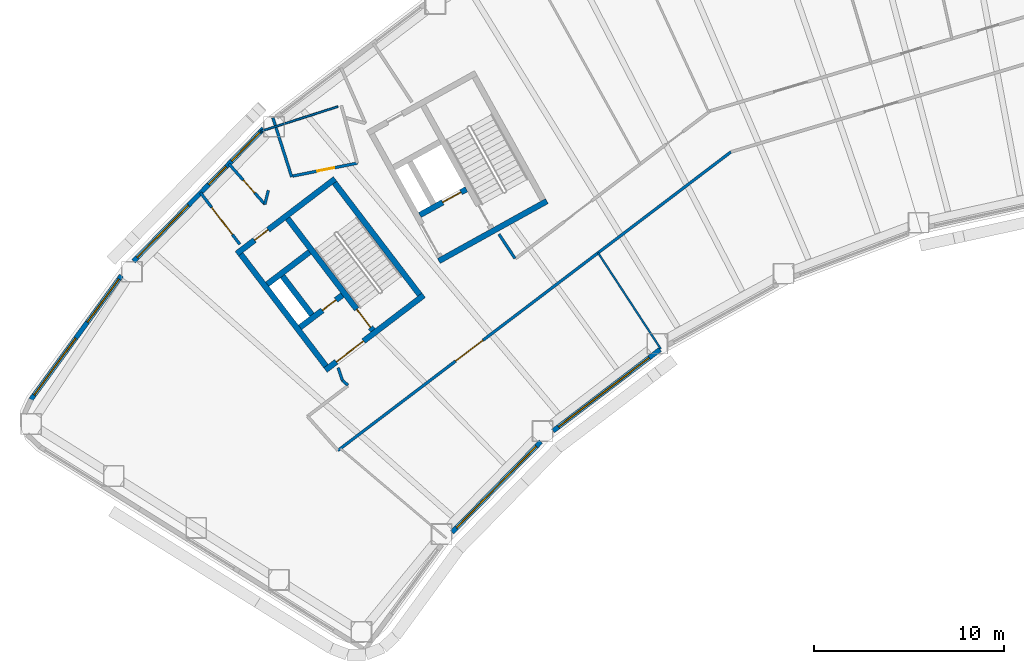
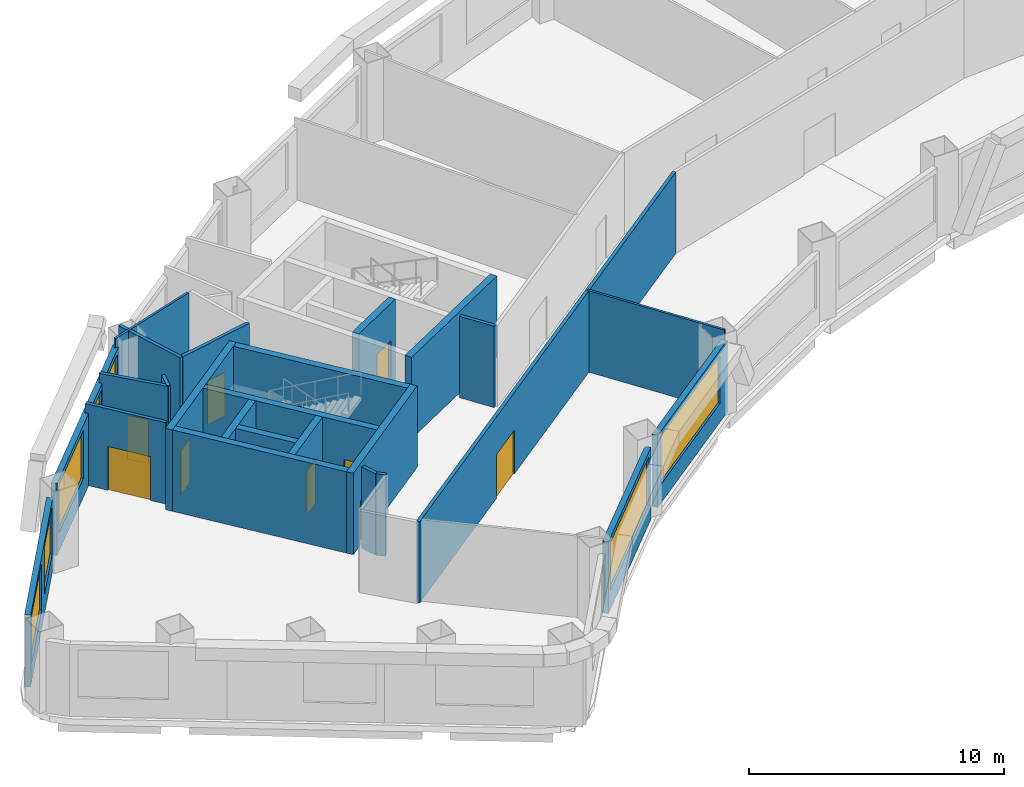
# One storey, part 3 of 11: 25 walls, 9 doors, 7 windows, 16 openings.
"""IFC4 building model written with IfcOpenShell, lengths in metres."""

from ifc_helpers import new_model, si_unit, direction, frame, frame_2d, origin, place, context, subcontext, project, spatial, rectangle, extrude, material, layer, layer_set, type_object, element, fill, save


model = new_model("IFC4")

# Units and contexts
model_context = context("Model", 3, precision=1e-05, world=origin(), true_north=direction((0.0, 1.0)))
body_context = subcontext(model_context, "Body", "Model", "MODEL_VIEW")
ifc_project = project(units=[si_unit("LENGTHUNIT", "METRE"), si_unit("AREAUNIT", "SQUARE_METRE"), si_unit("VOLUMEUNIT", "CUBIC_METRE"), si_unit("PLANEANGLEUNIT", "RADIAN"), si_unit("MASSUNIT", "GRAM", prefix="KILO")], contexts=[model_context])

# Site, building, storey
site_placement = place(None, origin())
site = spatial("IfcSite", under=ifc_project, at=site_placement, CompositionType="ELEMENT")
building_placement = place(site_placement, origin())
building = spatial("IfcBuilding", under=site, at=building_placement, Name="Tuul Gate Civic Tower", CompositionType="ELEMENT")
storey_placement = place(building_placement, frame((0.0, 0.0, 120.300048828125)))
storey = spatial("IfcBuildingStorey", under=building, at=storey_placement, Name="Level 27", CompositionType="ELEMENT", Elevation=120.300048828125)

# Wall, opening, door
ifc_material_1 = material(Name="Concrete C50/60", Category="concrete")
ifc_layer_1 = layer(ifc_material_1, 0.300048828125)
ifc_layer_set_1 = layer_set([ifc_layer_1], Name="Concrete C50/60")
wall_type_1 = type_object("IfcWallType", Name="Core wall C50/60", PredefinedType="SHEAR", material=ifc_layer_set_1)
wall_1_placement = place(storey_placement, frame((-31.19091796875, -13.669677734375, 0.0), z_axis=(0.0, 0.0, 1.0), x_axis=(-0.795606717756, -0.605813461934, 0.0)))
wall_1 = element("IfcWall", 1, at=wall_1_placement, inside=storey, type_object=wall_type_1, Name="Core wall", PredefinedType="SHEAR", context=body_context, shape_type="SweptSolid", body=[
    extrude(rectangle(XDim=6.5, YDim=0.300048828125, at=frame_2d((3.25, 0.0))), origin(), (0.0, 0.0, 1.0), 3.89990234375),
])
opening_1_placement = place(wall_1_placement, frame((3.97509765625, 0.0, 0.0)))
opening_1 = element("IfcOpeningElement", 2, at=opening_1_placement, cuts=wall_1, Name="Opening LB-W1-LOBBY-1", PredefinedType="OPENING", context=body_context, shape_type="SweptSolid", body=[
    extrude(rectangle(XDim=1.800048828125, YDim=2.10009765625, at=frame_2d((0.89990234375, 1.050048828125))), frame((0.0, 0.16015625, 0.0), z_axis=(0.0, -1.0, 0.0), x_axis=(1.0, 0.0, 0.0)), (0.0, 0.0, 1.0), 0.320068359375),
])
ifc_material_2 = material(Name="Steel", Category="steel")
door_type_1 = type_object("IfcDoorType", Name="Lobby door", OperationType="DOUBLE_DOOR_SINGLE_SWING", PredefinedType="DOOR", material=ifc_material_2)
door_1_placement = place(opening_1_placement, origin())
door_1 = element("IfcDoor", 3, at=door_1_placement, inside=storey, type_object=door_type_1, Name="Lobby door W1-LOBBY", OperationType="DOUBLE_DOOR_SINGLE_SWING", OverallHeight=2.10009765625, OverallWidth=1.800048828125, PredefinedType="DOOR", context=body_context, shape_type="SweptSolid", body=[
    extrude(rectangle(XDim=1.800048828125, YDim=2.10009765625, at=frame_2d((0.89990234375, 1.050048828125))), frame((0.0, 0.02490234375, 0.0), z_axis=(0.0, -1.0, 0.0), x_axis=(1.0, 0.0, 0.0)), (0.0, 0.0, 1.0), 0.050048828125),
])
fill(opening_1, door_1)

wall_2_placement = place(storey_placement, frame((-35.470947265625, -13.66064453125, 0.0), z_axis=(0.0, 0.0, 1.0), x_axis=(-0.795615822227, -0.605801504968, 0.0)))
wall_2 = element("IfcWall", 4, at=wall_2_placement, inside=storey, type_object=wall_type_1, Name="Core wall", PredefinedType="SHEAR", context=body_context, shape_type="SweptSolid", body=[
    extrude(rectangle(XDim=2.800048828125, YDim=0.300048828125, at=frame_2d((1.39990234375, 0.0))), origin(), (0.0, 0.0, 1.0), 3.89990234375),
])
opening_2_placement = place(wall_2_placement, frame((0.425048828125, 0.0, 0.0)))
opening_2 = element("IfcOpeningElement", 5, at=opening_2_placement, cuts=wall_2, Name="Opening FB-W1A1", PredefinedType="OPENING", context=body_context, shape_type="SweptSolid", body=[
    extrude(rectangle(XDim=0.89990234375, YDim=2.10009765625, at=frame_2d((0.449951171875, 1.050048828125))), frame((0.0, 0.16015625, 0.0), z_axis=(0.0, -1.0, 0.0), x_axis=(1.0, 0.0, 0.0)), (0.0, 0.0, 1.0), 0.320068359375),
])
ifc_material_3 = material(Name="Steel", Category="steel")
door_type_2 = type_object("IfcDoorType", Name="Store door", OperationType="NOTDEFINED", PredefinedType="DOOR", material=ifc_material_3)
door_2_placement = place(opening_2_placement, frame((0.89990234375, 0.0, 0.0), z_axis=(0.0, 0.0, 1.0), x_axis=(-1.0, 0.0, 0.0)))
door_2 = element("IfcDoor", 6, at=door_2_placement, inside=storey, type_object=door_type_2, Name="Store door W1A1", OperationType="SINGLE_SWING_RIGHT", OverallHeight=2.10009765625, OverallWidth=0.89990234375, PredefinedType="DOOR", context=body_context, shape_type="SweptSolid", body=[
    extrude(rectangle(XDim=0.89990234375, YDim=2.10009765625, at=frame_2d((0.449951171875, 1.050048828125))), frame((0.0, 0.02490234375, 0.0), z_axis=(0.0, -1.0, 0.0), x_axis=(1.0, 0.0, 0.0)), (0.0, 0.0, 1.0), 0.050048828125),
])
fill(opening_2, door_2)

# Wall
wall_3_placement = place(storey_placement, frame((-37.197509765625, -11.39306640625, 0.0), z_axis=(0.0, 0.0, 1.0), x_axis=(-0.795583820278, -0.605843531707, 0.0)))
element("IfcWall", 7, at=wall_3_placement, inside=storey, type_object=wall_type_1, Name="Core wall", PredefinedType="SHEAR", context=body_context, shape_type="SweptSolid", body=[
    extrude(rectangle(XDim=2.7998046875, YDim=0.300048828125, at=frame_2d((1.39990234375, 0.0))), origin(), (0.0, 0.0, 1.0), 3.89990234375),
])

# Wall, opening, door
wall_4_placement = place(storey_placement, frame((-35.855224609375, -7.543212890625, 0.0), z_axis=(0.0, 0.0, 1.0), x_axis=(-0.79563860527, -0.605771582202, 0.0)))
wall_4 = element("IfcWall", 8, at=wall_4_placement, inside=storey, type_object=wall_type_1, Name="Core wall", PredefinedType="SHEAR", context=body_context, shape_type="SweptSolid", body=[
    extrude(rectangle(XDim=6.5, YDim=0.300048828125, at=frame_2d((3.25, 0.0))), origin(), (0.0, 0.0, 1.0), 3.89990234375),
])
opening_3_placement = place(wall_4_placement, frame((4.425048828125, 0.0, 0.0)))
opening_3 = element("IfcOpeningElement", 9, at=opening_3_placement, cuts=wall_4, Name="Opening I-D251", PredefinedType="OPENING", context=body_context, shape_type="SweptSolid", body=[
    extrude(rectangle(XDim=0.89990234375, YDim=2.10009765625, at=frame_2d((0.449951171875, 1.050048828125))), frame((0.0, 0.16015625, 0.0), z_axis=(0.0, -1.0, 0.0), x_axis=(1.0, 0.0, 0.0)), (0.0, 0.0, 1.0), 0.320068359375),
])
ifc_material_4 = material(Name="Timber door leaf", Category="wood")
door_type_3 = type_object("IfcDoorType", Name="Door D09", OperationType="NOTDEFINED", PredefinedType="DOOR", material=ifc_material_4)
door_3_placement = place(opening_3_placement, origin())
door_3 = element("IfcDoor", 10, at=door_3_placement, inside=storey, type_object=door_type_3, Name="Door I-D25", OperationType="SINGLE_SWING_LEFT", OverallHeight=2.10009765625, OverallWidth=0.89990234375, PredefinedType="DOOR", context=body_context, shape_type="SweptSolid", body=[
    extrude(rectangle(XDim=0.89990234375, YDim=2.10009765625, at=frame_2d((0.449951171875, 1.050048828125))), frame((0.0, 0.02490234375, 0.0), z_axis=(0.0, -1.0, 0.0), x_axis=(1.0, 0.0, 0.0)), (0.0, 0.0, 1.0), 0.050048828125),
])
fill(opening_3, door_3)

# Wall
wall_5_placement = place(storey_placement, frame((-31.401123046875, -13.64111328125, 0.0), z_axis=(0.0, 0.0, 1.0), x_axis=(-0.605769822278, 0.795639945213, 0.0)))
element("IfcWall", 11, at=wall_5_placement, inside=storey, type_object=wall_type_1, Name="Core wall", PredefinedType="SHEAR", context=body_context, shape_type="SweptSolid", body=[
    extrude(rectangle(XDim=7.39990234375, YDim=0.300048828125, at=frame_2d((3.699951171875, 0.0))), origin(), (0.0, 0.0, 1.0), 3.89990234375),
])

# Wall, opening, door
wall_6_placement = place(storey_placement, frame((-33.867431640625, -15.51904296875, 0.0), z_axis=(0.0, 0.0, 1.0), x_axis=(-0.605769822278, 0.795639945213, 0.0)))
wall_6 = element("IfcWall", 12, at=wall_6_placement, inside=storey, type_object=wall_type_1, Name="Core wall", PredefinedType="SHEAR", context=body_context, shape_type="SweptSolid", body=[
    extrude(rectangle(XDim=7.39990234375, YDim=0.300048828125, at=frame_2d((3.699951171875, 0.0))), origin(), (0.0, 0.0, 1.0), 3.89990234375),
])
opening_4_placement = place(wall_6_placement, frame((0.199951171875, 0.0, 0.0)))
opening_4 = element("IfcOpeningElement", 13, at=opening_4_placement, cuts=wall_6, Name="Opening SD-ST-1", PredefinedType="OPENING", context=body_context, shape_type="SweptSolid", body=[
    extrude(rectangle(XDim=1.199951171875, YDim=2.10009765625, at=frame_2d((0.60009765625, 1.050048828125))), frame((0.0, 0.16015625, 0.0), z_axis=(0.0, -1.0, 0.0), x_axis=(1.0, 0.0, 0.0)), (0.0, 0.0, 1.0), 0.320068359375),
])
ifc_material_5 = material(Name="Steel", Category="steel")
door_type_4 = type_object("IfcDoorType", Name="Stair door", OperationType="NOTDEFINED", PredefinedType="DOOR", material=ifc_material_5)
door_4_placement = place(opening_4_placement, origin())
door_4 = element("IfcDoor", 14, at=door_4_placement, inside=storey, type_object=door_type_4, Name="Stair door ST-1", OperationType="SINGLE_SWING_LEFT", OverallHeight=2.10009765625, OverallWidth=1.199951171875, PredefinedType="DOOR", context=body_context, shape_type="SweptSolid", body=[
    extrude(rectangle(XDim=1.199951171875, YDim=2.10009765625, at=frame_2d((0.60009765625, 1.050048828125))), frame((0.0, 0.02490234375, 0.0), z_axis=(0.0, -1.0, 0.0), x_axis=(1.0, 0.0, 0.0)), (0.0, 0.0, 1.0), 0.050048828125),
])
fill(opening_4, door_4)

# Walls
wall_7_placement = place(storey_placement, frame((-37.073486328125, -14.6923828125, 0.0), z_axis=(0.0, 0.0, 1.0), x_axis=(-0.605728760074, 0.79567120673, 0.0)))
element("IfcWall", 15, at=wall_7_placement, inside=storey, type_object=wall_type_1, Name="Core wall", PredefinedType="SHEAR", context=body_context, shape_type="SweptSolid", body=[
    extrude(rectangle(XDim=2.550048828125, YDim=0.300048828125, at=frame_2d((1.27490234375, 0.0))), origin(), (0.0, 0.0, 1.0), 3.89990234375),
])
wall_8_placement = place(storey_placement, frame((-36.333984375, -17.397216796875, 0.0), z_axis=(0.0, 0.0, 1.0), x_axis=(-0.605753921168, 0.795652051458, 0.0)))
element("IfcWall", 16, at=wall_8_placement, inside=storey, type_object=wall_type_1, Name="Core wall", PredefinedType="SHEAR", context=body_context, shape_type="SweptSolid", body=[
    extrude(rectangle(XDim=7.400146484375, YDim=0.300048828125, at=frame_2d((3.7001953125, 0.0))), origin(), (0.0, 0.0, 1.0), 3.89990234375),
])
wall_9_placement = place(storey_placement, frame((-24.711669921875, -8.7158203125, 0.0), z_axis=(0.0, 0.0, 1.0), x_axis=(-0.874629909008, -0.484791215132, 0.0)))
element("IfcWall", 17, at=wall_9_placement, inside=storey, type_object=wall_type_1, Name="Core wall", PredefinedType="SHEAR", context=body_context, shape_type="SweptSolid", body=[
    extrude(rectangle(XDim=6.5, YDim=0.300048828125, at=frame_2d((3.25, 0.0))), origin(), (0.0, 0.0, 1.0), 3.89990234375),
])

# Wall, opening, door
wall_10_placement = place(storey_placement, frame((-28.94580078125, -8.090087890625, 0.0), z_axis=(0.0, 0.0, 1.0), x_axis=(-0.874629840737, -0.484791338301, 0.0)))
wall_10 = element("IfcWall", 18, at=wall_10_placement, inside=storey, type_object=wall_type_1, Name="Core wall", PredefinedType="SHEAR", context=body_context, shape_type="SweptSolid", body=[
    extrude(rectangle(XDim=2.800048828125, YDim=0.300048828125, at=frame_2d((1.39990234375, 0.0))), origin(), (0.0, 0.0, 1.0), 3.89990234375),
])
opening_5_placement = place(wall_10_placement, frame((0.324951171875, 0.0, 0.0)))
opening_5 = element("IfcOpeningElement", 19, at=opening_5_placement, cuts=wall_10, Name="Opening LD-FF-1", PredefinedType="OPENING", context=body_context, shape_type="SweptSolid", body=[
    extrude(rectangle(XDim=1.10009765625, YDim=2.10009765625, at=frame_2d((0.550048828125, 1.050048828125))), frame((0.0, 0.16015625, 0.0), z_axis=(0.0, -1.0, 0.0), x_axis=(1.0, 0.0, 0.0)), (0.0, 0.0, 1.0), 0.320068359375),
])
ifc_material_6 = material(Name="Stainless steel", Category="steel")
door_type_5 = type_object("IfcDoorType", Name="Landing door", OperationType="DOUBLE_DOOR_SLIDING", PredefinedType="DOOR", material=ifc_material_6)
door_5_placement = place(opening_5_placement, origin())
door_5 = element("IfcDoor", 20, at=door_5_placement, inside=storey, type_object=door_type_5, Name="Fire-fighting lift FF-1 landing door", OperationType="DOUBLE_DOOR_SLIDING", OverallHeight=2.10009765625, OverallWidth=1.10009765625, PredefinedType="DOOR", context=body_context, shape_type="SweptSolid", body=[
    extrude(rectangle(XDim=1.10009765625, YDim=2.10009765625, at=frame_2d((0.550048828125, 1.050048828125))), frame((0.0, 0.02490234375, 0.0), z_axis=(0.0, -1.0, 0.0), x_axis=(1.0, 0.0, 0.0)), (0.0, 0.0, 1.0), 0.050048828125),
])
fill(opening_5, door_5)

# Wall
ifc_material_7 = material(Name="Gypsum board partition")
ifc_layer_2 = layer(ifc_material_7, 0.14990234375)
ifc_layer_set_2 = layer_set([ifc_layer_2], Name="Gypsum board partition")
wall_type_2 = type_object("IfcWallType", Name="Corridor wall P150", PredefinedType="PARTITIONING", material=ifc_layer_set_2)
wall_11_placement = place(storey_placement, frame((-27.23095703125, -10.4560546875, 0.0), z_axis=(0.0, 0.0, 1.0), x_axis=(0.550090960026, -0.835104745345, 0.0)))
element("IfcWall", 21, at=wall_11_placement, inside=storey, type_object=wall_type_2, Name="p066", PredefinedType="PARTITIONING", context=body_context, shape_type="SweptSolid", body=[
    extrude(rectangle(XDim=1.53076171875, YDim=0.14990234375, at=frame_2d((0.765380859375, 0.0))), origin(), (0.0, 0.0, 1.0), 3.89990234375),
])

# Wall, opening, door
wall_12_placement = place(storey_placement, frame((-38.07470703125, -7.395751953125, 0.0), z_axis=(0.0, 0.0, 1.0), x_axis=(0.9805398689, 0.196320058827, 0.0)))
wall_12 = element("IfcWall", 22, at=wall_12_placement, inside=storey, type_object=wall_type_2, Name="p067", PredefinedType="PARTITIONING", context=body_context, shape_type="SweptSolid", body=[
    extrude(rectangle(XDim=3.453369140625, YDim=0.14990234375, at=frame_2d((1.7265625, 0.0))), origin(), (0.0, 0.0, 1.0), 3.89990234375),
])
opening_6_placement = place(wall_12_placement, frame((1.31689453125, 0.0, 0.0)))
opening_6 = element("IfcOpeningElement", 23, at=opening_6_placement, cuts=wall_12, Name="Opening I-D17", PredefinedType="OPENING", context=body_context, shape_type="SweptSolid", body=[
    extrude(rectangle(XDim=0.89990234375, YDim=2.10009765625, at=frame_2d((0.449951171875, 1.050048828125))), frame((0.0, 0.0849609375, 0.0), z_axis=(0.0, -1.0, 0.0), x_axis=(1.0, 0.0, 0.0)), (0.0, 0.0, 1.0), 0.169921875),
])
door_6_placement = place(opening_6_placement, origin())
door_6 = element("IfcDoor", 24, at=door_6_placement, inside=storey, type_object=door_type_3, Name="Door I-D17", OperationType="SINGLE_SWING_RIGHT", OverallHeight=2.10009765625, OverallWidth=0.89990234375, PredefinedType="DOOR", context=body_context, shape_type="SweptSolid", body=[
    extrude(rectangle(XDim=0.89990234375, YDim=2.10009765625, at=frame_2d((0.449951171875, 1.050048828125))), frame((0.0, 0.02490234375, 0.0), z_axis=(0.0, -1.0, 0.0), x_axis=(1.0, 0.0, 0.0)), (0.0, 0.0, 1.0), 0.050048828125),
])
fill(opening_6, door_6)

wall_13_placement = place(storey_placement, frame((-42.93359375, -8.276123046875, 0.0), z_axis=(0.0, 0.0, 1.0), x_axis=(0.606142580902, -0.795356003069, 0.0)))
wall_13 = element("IfcWall", 25, at=wall_13_placement, inside=storey, type_object=wall_type_2, Name="p072", PredefinedType="PARTITIONING", context=body_context, shape_type="SweptSolid", body=[
    extrude(rectangle(XDim=3.405029296875, YDim=0.14990234375, at=frame_2d((1.70263671875, 0.0))), origin(), (0.0, 0.0, 1.0), 3.89990234375),
])
opening_7_placement = place(wall_13_placement, frame((0.96923828125, 0.0, 0.0)))
opening_7 = element("IfcOpeningElement", 26, at=opening_7_placement, cuts=wall_13, Name="Opening I-D181", PredefinedType="OPENING", context=body_context, shape_type="SweptSolid", body=[
    extrude(rectangle(XDim=1.800048828125, YDim=2.10009765625, at=frame_2d((0.89990234375, 1.050048828125))), frame((0.0, 0.0849609375, 0.0), z_axis=(0.0, -1.0, 0.0), x_axis=(1.0, 0.0, 0.0)), (0.0, 0.0, 1.0), 0.169921875),
])
ifc_material_8 = material(Name="Timber door leaf, double", Category="wood")
door_type_6 = type_object("IfcDoorType", Name="Door D18", OperationType="DOUBLE_DOOR_SINGLE_SWING", PredefinedType="DOOR", material=ifc_material_8)
door_7_placement = place(opening_7_placement, frame((1.800048828125, 0.0, 0.0), z_axis=(0.0, 0.0, 1.0), x_axis=(-1.0, 0.0, 0.0)))
door_7 = element("IfcDoor", 27, at=door_7_placement, inside=storey, type_object=door_type_6, Name="Door I-D18", OperationType="DOUBLE_DOOR_SINGLE_SWING", OverallHeight=2.10009765625, OverallWidth=1.800048828125, PredefinedType="DOOR", context=body_context, shape_type="SweptSolid", body=[
    extrude(rectangle(XDim=1.800048828125, YDim=2.10009765625, at=frame_2d((0.900146484375, 1.050048828125))), frame((0.0, 0.02490234375, 0.0), z_axis=(0.0, -1.0, 0.0), x_axis=(1.0, 0.0, 0.0)), (0.0, 0.0, 1.0), 0.050048828125),
])
fill(opening_7, door_7)

# Walls
wall_14_placement = place(storey_placement, frame((-35.6953125, -17.4765625, 0.0), z_axis=(0.0, 0.0, 1.0), x_axis=(0.32338228212, -0.946268407806, 0.0)))
element("IfcWall", 28, at=wall_14_placement, inside=storey, type_object=wall_type_2, Name="p073", PredefinedType="PARTITIONING", context=body_context, shape_type="SweptSolid", body=[
    extrude(rectangle(XDim=0.7158203125, YDim=0.14990234375, at=frame_2d((0.35791015625, 0.0))), origin(), (0.0, 0.0, 1.0), 3.89990234375),
])
wall_15_placement = place(storey_placement, frame((-35.4638671875, -18.15380859375, 0.0), z_axis=(0.0, 0.0, 1.0), x_axis=(0.756501971182, -0.65399141248, 0.0)))
element("IfcWall", 29, at=wall_15_placement, inside=storey, type_object=wall_type_2, Name="p074", PredefinedType="PARTITIONING", context=body_context, shape_type="SweptSolid", body=[
    extrude(rectangle(XDim=0.376220703125, YDim=0.14990234375, at=frame_2d((0.18798828125, 0.0))), origin(), (0.0, 0.0, 1.0), 3.89990234375),
])

# Wall, opening, door
wall_16_placement = place(storey_placement, frame((-35.70654296875, -21.834228515625, 0.0), z_axis=(0.0, 0.0, 1.0), x_axis=(0.796321430209, 0.604873689121, 0.0)))
wall_16 = element("IfcWall", 30, at=wall_16_placement, inside=storey, type_object=wall_type_2, Name="p076", PredefinedType="PARTITIONING", context=body_context, shape_type="SweptSolid", body=[
    extrude(rectangle(XDim=25.965087890625, YDim=0.14990234375, at=frame_2d((12.982421875, 0.0))), origin(), (0.0, 0.0, 1.0), 3.89990234375),
])
opening_8_placement = place(wall_16_placement, frame((7.780029296875, 0.0, 0.0)))
opening_8 = element("IfcOpeningElement", 31, at=opening_8_placement, cuts=wall_16, Name="Opening I-D22", PredefinedType="OPENING", context=body_context, shape_type="SweptSolid", body=[
    extrude(rectangle(XDim=1.800048828125, YDim=2.10009765625, at=frame_2d((0.89990234375, 1.050048828125))), frame((0.0, 0.0849609375, 0.0), z_axis=(0.0, -1.0, 0.0), x_axis=(1.0, 0.0, 0.0)), (0.0, 0.0, 1.0), 0.169921875),
])
door_8_placement = place(opening_8_placement, frame((1.800048828125, 0.0, 0.0), z_axis=(0.0, 0.0, 1.0), x_axis=(-1.0, 0.0, 0.0)))
door_8 = element("IfcDoor", 32, at=door_8_placement, inside=storey, type_object=door_type_6, Name="Door I-D22", OperationType="DOUBLE_DOOR_SINGLE_SWING", OverallHeight=2.10009765625, OverallWidth=1.800048828125, PredefinedType="DOOR", context=body_context, shape_type="SweptSolid", body=[
    extrude(rectangle(XDim=1.800048828125, YDim=2.10009765625, at=frame_2d((0.900146484375, 1.050048828125))), frame((0.0, 0.02490234375, 0.0), z_axis=(0.0, -1.0, 0.0), x_axis=(1.0, 0.0, 0.0)), (0.0, 0.0, 1.0), 0.050048828125),
])
fill(opening_8, door_8)

wall_17_placement = place(storey_placement, frame((-41.443359375, -6.755859375, 0.0), z_axis=(0.0, 0.0, 1.0), x_axis=(0.665118356496, -0.746737953939, 0.0)))
wall_17 = element("IfcWall", 33, at=wall_17_placement, inside=storey, type_object=wall_type_2, Name="p088", PredefinedType="PARTITIONING", context=body_context, shape_type="SweptSolid", body=[
    extrude(rectangle(XDim=2.8505859375, YDim=0.14990234375, at=frame_2d((1.42529296875, 0.0))), origin(), (0.0, 0.0, 1.0), 3.89990234375),
])
opening_9_placement = place(wall_17_placement, frame((1.140869140625, 0.0, 0.0)))
opening_9 = element("IfcOpeningElement", 34, at=opening_9_placement, cuts=wall_17, Name="Opening I-D24", PredefinedType="OPENING", context=body_context, shape_type="SweptSolid", body=[
    extrude(rectangle(XDim=0.89990234375, YDim=2.10009765625, at=frame_2d((0.449951171875, 1.050048828125))), frame((0.0, 0.0849609375, 0.0), z_axis=(0.0, -1.0, 0.0), x_axis=(1.0, 0.0, 0.0)), (0.0, 0.0, 1.0), 0.169921875),
])
door_9_placement = place(opening_9_placement, origin())
door_9 = element("IfcDoor", 35, at=door_9_placement, inside=storey, type_object=door_type_3, Name="Door I-D24", OperationType="SINGLE_SWING_RIGHT", OverallHeight=2.10009765625, OverallWidth=0.89990234375, PredefinedType="DOOR", context=body_context, shape_type="SweptSolid", body=[
    extrude(rectangle(XDim=0.89990234375, YDim=2.10009765625, at=frame_2d((0.449951171875, 1.050048828125))), frame((0.0, 0.02490234375, 0.0), z_axis=(0.0, -1.0, 0.0), x_axis=(1.0, 0.0, 0.0)), (0.0, 0.0, 1.0), 0.050048828125),
])
fill(opening_9, door_9)

# Walls
wall_18_placement = place(storey_placement, frame((-39.54736328125, -8.884521484375, 0.0), z_axis=(0.0, 0.0, 1.0), x_axis=(0.241324083706, 0.970444581943, 0.0)))
element("IfcWall", 36, at=wall_18_placement, inside=storey, type_object=wall_type_2, Name="p089", PredefinedType="PARTITIONING", context=body_context, shape_type="SweptSolid", body=[
    extrude(rectangle(XDim=0.7587890625, YDim=0.14990234375, at=frame_2d((0.37939453125, 0.0))), origin(), (0.0, 0.0, 1.0), 3.89990234375),
])
wall_19_placement = place(storey_placement, frame((-39.12548828125, -4.3359375, 0.0), z_axis=(0.0, 0.0, 1.0), x_axis=(0.303333175014, -0.952884560131, 0.0)))
element("IfcWall", 37, at=wall_19_placement, inside=storey, type_object=wall_type_2, Name="p090", PredefinedType="PARTITIONING", context=body_context, shape_type="SweptSolid", body=[
    extrude(rectangle(XDim=3.267822265625, YDim=0.14990234375, at=frame_2d((1.6337890625, 0.0))), origin(), (0.0, 0.0, 1.0), 3.89990234375),
])

# Wall, openings, windows
ifc_material_9 = material(Name="Precast concrete C40/50", Category="concrete")
ifc_layer_3 = layer(ifc_material_9, 0.25)
ifc_layer_set_3 = layer_set([ifc_layer_3], Name="Precast concrete C40/50")
wall_type_3 = type_object("IfcWallType", Name="External wall", PredefinedType="STANDARD", material=ifc_layer_set_3)
wall_20_placement = place(storey_placement, frame((-39.618896484375, -4.901611328125, 0.0), z_axis=(0.0, 0.0, 1.0), x_axis=(-0.699999704783, -0.714143132224, 0.0)))
wall_20 = element("IfcWall", 38, at=wall_20_placement, inside=storey, type_object=wall_type_3, Name="External wall", PredefinedType="STANDARD", context=body_context, shape_type="SweptSolid", body=[
    extrude(rectangle(XDim=9.770263671875, YDim=0.25, at=frame_2d((4.88525390625, 0.0))), origin(), (0.0, 0.0, 1.0), 3.449951171875),
])
opening_10_placement = place(wall_20_placement, frame((5.64453125, 0.0, 0.89990234375)))
opening_10 = element("IfcOpeningElement", 39, at=opening_10_placement, cuts=wall_20, Name="Opening W22", PredefinedType="OPENING", context=body_context, shape_type="SweptSolid", body=[
    extrude(rectangle(XDim=3.85009765625, YDim=2.300048828125, at=frame_2d((1.925048828125, 1.14990234375))), frame((0.0, 0.135009765625, 0.0), z_axis=(0.0, -1.0, 0.0), x_axis=(1.0, 0.0, 0.0)), (0.0, 0.0, 1.0), 0.27001953125),
])
opening_11_placement = place(wall_20_placement, frame((0.287109375, 0.0, 0.89990234375)))
opening_11 = element("IfcOpeningElement", 40, at=opening_11_placement, cuts=wall_20, Name="Opening W40", PredefinedType="OPENING", context=body_context, shape_type="SweptSolid", body=[
    extrude(rectangle(XDim=2.10009765625, YDim=2.300048828125, at=frame_2d((1.050048828125, 1.14990234375))), frame((0.0, 0.135009765625, 0.0), z_axis=(0.0, -1.0, 0.0), x_axis=(1.0, 0.0, 0.0)), (0.0, 0.0, 1.0), 0.27001953125),
])
opening_12_placement = place(wall_20_placement, frame((2.81201171875, 0.0, 0.89990234375)))
opening_12 = element("IfcOpeningElement", 41, at=opening_12_placement, cuts=wall_20, Name="Opening W41", PredefinedType="OPENING", context=body_context, shape_type="SweptSolid", body=[
    extrude(rectangle(XDim=1.300048828125, YDim=2.300048828125, at=frame_2d((0.64990234375, 1.14990234375))), frame((0.0, 0.135009765625, 0.0), z_axis=(0.0, -1.0, 0.0), x_axis=(1.0, 0.0, 0.0)), (0.0, 0.0, 1.0), 0.27001953125),
])
ifc_material_10 = material(Name="Glass", Category="glass")
window_type_1 = type_object("IfcWindowType", Name="Window 1300 x 2300", PartitioningType="SINGLE_PANEL", PredefinedType="WINDOW", material=ifc_material_10)
window_1_placement = place(opening_12_placement, origin())
window_1 = element("IfcWindow", 42, at=window_1_placement, inside=storey, type_object=window_type_1, Name="Window", OverallHeight=2.300048828125, OverallWidth=1.300048828125, PartitioningType="SINGLE_PANEL", PredefinedType="WINDOW", context=body_context, shape_type="SweptSolid", body=[
    extrude(rectangle(XDim=1.300048828125, YDim=2.300048828125, at=frame_2d((0.64990234375, 1.14990234375))), frame((0.0, 0.030029296875, 0.0), z_axis=(0.0, -1.0, 0.0), x_axis=(1.0, 0.0, 0.0)), (0.0, 0.0, 1.0), 0.06005859375),
])
fill(opening_12, window_1)
ifc_material_11 = material(Name="Glass", Category="glass")
window_type_2 = type_object("IfcWindowType", Name="Window 2100 x 2300", PartitioningType="SINGLE_PANEL", PredefinedType="WINDOW", material=ifc_material_11)
window_2_placement = place(opening_11_placement, origin())
window_2 = element("IfcWindow", 43, at=window_2_placement, inside=storey, type_object=window_type_2, Name="Window", OverallHeight=2.300048828125, OverallWidth=2.10009765625, PartitioningType="SINGLE_PANEL", PredefinedType="WINDOW", context=body_context, shape_type="SweptSolid", body=[
    extrude(rectangle(XDim=2.10009765625, YDim=2.300048828125, at=frame_2d((1.050048828125, 1.14990234375))), frame((0.0, 0.030029296875, 0.0), z_axis=(0.0, -1.0, 0.0), x_axis=(1.0, 0.0, 0.0)), (0.0, 0.0, 1.0), 0.06005859375),
])
fill(opening_11, window_2)
ifc_material_12 = material(Name="Glass", Category="glass")
window_type_3 = type_object("IfcWindowType", Name="Window W22 3850 x 2300", PartitioningType="SINGLE_PANEL", PredefinedType="WINDOW", material=ifc_material_12)
window_3_placement = place(opening_10_placement, origin())
window_3 = element("IfcWindow", 44, at=window_3_placement, inside=storey, type_object=window_type_3, Name="Window", OverallHeight=2.300048828125, OverallWidth=3.85009765625, PartitioningType="SINGLE_PANEL", PredefinedType="WINDOW", context=body_context, shape_type="SweptSolid", body=[
    extrude(rectangle(XDim=3.85009765625, YDim=2.300048828125, at=frame_2d((1.925048828125, 1.14990234375))), frame((0.0, 0.030029296875, 0.0), z_axis=(0.0, -1.0, 0.0), x_axis=(1.0, 0.0, 0.0)), (0.0, 0.0, 1.0), 0.06005859375),
])
fill(opening_10, window_3)

wall_21_placement = place(storey_placement, frame((-47.093017578125, -12.6318359375, 0.0), z_axis=(0.0, 0.0, 1.0), x_axis=(-0.589890871529, -0.807482977955, 0.0)))
wall_21 = element("IfcWall", 45, at=wall_21_placement, inside=storey, type_object=wall_type_3, Name="External wall", PredefinedType="STANDARD", context=body_context, shape_type="SweptSolid", body=[
    extrude(rectangle(XDim=8.0830078125, YDim=0.25, at=frame_2d((4.04150390625, 0.0))), origin(), (0.0, 0.0, 1.0), 3.449951171875),
])
opening_13_placement = place(wall_21_placement, frame((0.23046875, 0.0, 0.89990234375)))
opening_13 = element("IfcOpeningElement", 46, at=opening_13_placement, cuts=wall_21, Name="Opening W23", PredefinedType="OPENING", context=body_context, shape_type="SweptSolid", body=[
    extrude(rectangle(XDim=2.800048828125, YDim=2.300048828125, at=frame_2d((1.39990234375, 1.14990234375))), frame((0.0, 0.135009765625, 0.0), z_axis=(0.0, -1.0, 0.0), x_axis=(1.0, 0.0, 0.0)), (0.0, 0.0, 1.0), 0.27001953125),
])
opening_14_placement = place(wall_21_placement, frame((4.08203125, 0.0, 0.89990234375)))
opening_14 = element("IfcOpeningElement", 47, at=opening_14_placement, cuts=wall_21, Name="Opening W21", PredefinedType="OPENING", context=body_context, shape_type="SweptSolid", body=[
    extrude(rectangle(XDim=3.699951171875, YDim=2.300048828125, at=frame_2d((1.85009765625, 1.14990234375))), frame((0.0, 0.135009765625, 0.0), z_axis=(0.0, -1.0, 0.0), x_axis=(1.0, 0.0, 0.0)), (0.0, 0.0, 1.0), 0.27001953125),
])
ifc_material_13 = material(Name="Glass", Category="glass")
window_type_4 = type_object("IfcWindowType", Name="Window W21 3700 x 2300", PartitioningType="SINGLE_PANEL", PredefinedType="WINDOW", material=ifc_material_13)
window_4_placement = place(opening_14_placement, origin())
window_4 = element("IfcWindow", 48, at=window_4_placement, inside=storey, type_object=window_type_4, Name="Window", OverallHeight=2.300048828125, OverallWidth=3.699951171875, PartitioningType="SINGLE_PANEL", PredefinedType="WINDOW", context=body_context, shape_type="SweptSolid", body=[
    extrude(rectangle(XDim=3.699951171875, YDim=2.300048828125, at=frame_2d((1.85009765625, 1.14990234375))), frame((0.0, 0.030029296875, 0.0), z_axis=(0.0, -1.0, 0.0), x_axis=(1.0, 0.0, 0.0)), (0.0, 0.0, 1.0), 0.06005859375),
])
fill(opening_14, window_4)
ifc_material_14 = material(Name="Glass", Category="glass")
window_type_5 = type_object("IfcWindowType", Name="Window W23 2800 x 2300", PartitioningType="SINGLE_PANEL", PredefinedType="WINDOW", material=ifc_material_14)
window_5_placement = place(opening_13_placement, origin())
window_5 = element("IfcWindow", 49, at=window_5_placement, inside=storey, type_object=window_type_5, Name="Window", OverallHeight=2.300048828125, OverallWidth=2.800048828125, PartitioningType="SINGLE_PANEL", PredefinedType="WINDOW", context=body_context, shape_type="SweptSolid", body=[
    extrude(rectangle(XDim=2.800048828125, YDim=2.300048828125, at=frame_2d((1.39990234375, 1.14990234375))), frame((0.0, 0.030029296875, 0.0), z_axis=(0.0, -1.0, 0.0), x_axis=(1.0, 0.0, 0.0)), (0.0, 0.0, 1.0), 0.06005859375),
])
fill(opening_13, window_5)

# Wall, opening, window
wall_22_placement = place(storey_placement, frame((-29.701904296875, -26.141357421875, 0.0), z_axis=(0.0, 0.0, 1.0), x_axis=(0.700005324082, 0.714137624171, 0.0)))
wall_22 = element("IfcWall", 50, at=wall_22_placement, inside=storey, type_object=wall_type_3, Name="External wall", PredefinedType="STANDARD", context=body_context, shape_type="SweptSolid", body=[
    extrude(rectangle(XDim=6.685546875, YDim=0.25, at=frame_2d((3.3427734375, 0.0))), origin(), (0.0, 0.0, 1.0), 3.449951171875),
])
opening_15_placement = place(wall_22_placement, frame((0.341552734375, 0.0, 0.89990234375)))
opening_15 = element("IfcOpeningElement", 51, at=opening_15_placement, cuts=wall_22, Name="Opening W26", PredefinedType="OPENING", context=body_context, shape_type="SweptSolid", body=[
    extrude(rectangle(XDim=6.0, YDim=2.300048828125, at=frame_2d((3.0, 1.14990234375))), frame((0.0, 0.135009765625, 0.0), z_axis=(0.0, -1.0, 0.0), x_axis=(1.0, 0.0, 0.0)), (0.0, 0.0, 1.0), 0.27001953125),
])
ifc_material_15 = material(Name="Glass", Category="glass")
window_type_6 = type_object("IfcWindowType", Name="Window W26 6000 x 2300", PartitioningType="SINGLE_PANEL", PredefinedType="WINDOW", material=ifc_material_15)
window_6_placement = place(opening_15_placement, origin())
window_6 = element("IfcWindow", 52, at=window_6_placement, inside=storey, type_object=window_type_6, Name="Window", OverallHeight=2.300048828125, OverallWidth=6.0, PartitioningType="SINGLE_PANEL", PredefinedType="WINDOW", context=body_context, shape_type="SweptSolid", body=[
    extrude(rectangle(XDim=6.0, YDim=2.300048828125, at=frame_2d((3.0, 1.14990234375))), frame((0.0, 0.030029296875, 0.0), z_axis=(0.0, -1.0, 0.0), x_axis=(1.0, 0.0, 0.0)), (0.0, 0.0, 1.0), 0.06005859375),
])
fill(opening_15, window_6)

wall_23_placement = place(storey_placement, frame((-24.387939453125, -20.806640625, 0.0), z_axis=(0.0, 0.0, 1.0), x_axis=(0.79558062628, 0.60584772599, 0.0)))
wall_23 = element("IfcWall", 53, at=wall_23_placement, inside=storey, type_object=wall_type_3, Name="External wall", PredefinedType="STANDARD", context=body_context, shape_type="SweptSolid", body=[
    extrude(rectangle(XDim=7.07470703125, YDim=0.25, at=frame_2d((3.537353515625, 0.0))), origin(), (0.0, 0.0, 1.0), 3.449951171875),
])
opening_16_placement = place(wall_23_placement, frame((0.3525390625, 0.0, 0.89990234375)))
opening_16 = element("IfcOpeningElement", 54, at=opening_16_placement, cuts=wall_23, Name="Opening W26", PredefinedType="OPENING", context=body_context, shape_type="SweptSolid", body=[
    extrude(rectangle(XDim=6.0, YDim=2.300048828125, at=frame_2d((3.0, 1.14990234375))), frame((0.0, 0.135009765625, 0.0), z_axis=(0.0, -1.0, 0.0), x_axis=(1.0, 0.0, 0.0)), (0.0, 0.0, 1.0), 0.27001953125),
])
window_7_placement = place(opening_16_placement, origin())
window_7 = element("IfcWindow", 55, at=window_7_placement, inside=storey, type_object=window_type_6, Name="Window", OverallHeight=2.300048828125, OverallWidth=6.0, PartitioningType="SINGLE_PANEL", PredefinedType="WINDOW", context=body_context, shape_type="SweptSolid", body=[
    extrude(rectangle(XDim=6.0, YDim=2.300048828125, at=frame_2d((3.0, 1.14990234375))), frame((0.0, 0.030029296875, 0.0), z_axis=(0.0, -1.0, 0.0), x_axis=(1.0, 0.0, 0.0)), (0.0, 0.0, 1.0), 0.06005859375),
])
fill(opening_16, window_7)

# Walls
ifc_material_16 = material(Name="Gypsum board partition")
ifc_layer_4 = layer(ifc_material_16, 0.10009765625)
ifc_layer_set_4 = layer_set([ifc_layer_4], Name="Gypsum board partition")
wall_type_4 = type_object("IfcWallType", Name="Partition P100", PredefinedType="PARTITIONING", material=ifc_layer_set_4)
wall_24_placement = place(storey_placement, frame((-39.75634765625, -5.03466796875, 0.0), z_axis=(0.0, 0.0, 1.0), x_axis=(0.952879890351, 0.303347844173, 0.0)))
element("IfcWall", 56, at=wall_24_placement, inside=storey, type_object=wall_type_4, Name="p069", PredefinedType="PARTITIONING", context=body_context, shape_type="SweptSolid", body=[
    extrude(rectangle(XDim=4.26318359375, YDim=0.10009765625, at=frame_2d((2.131591796875, 0.0))), origin(), (0.0, 0.0, 1.0), 3.89990234375),
])
wall_25_placement = place(storey_placement, frame((-22.01904296875, -11.437255859375, 0.0), z_axis=(0.0, 0.0, 1.0), x_axis=(0.546717766718, -0.837316955253, 0.0)))
element("IfcWall", 57, at=wall_25_placement, inside=storey, type_object=wall_type_4, Name="p083", PredefinedType="PARTITIONING", context=body_context, shape_type="SweptSolid", body=[
    extrude(rectangle(XDim=6.039794921875, YDim=0.10009765625, at=frame_2d((3.02001953125, 0.0))), origin(), (0.0, 0.0, 1.0), 3.89990234375),
])

save(model, "model.ifc")
